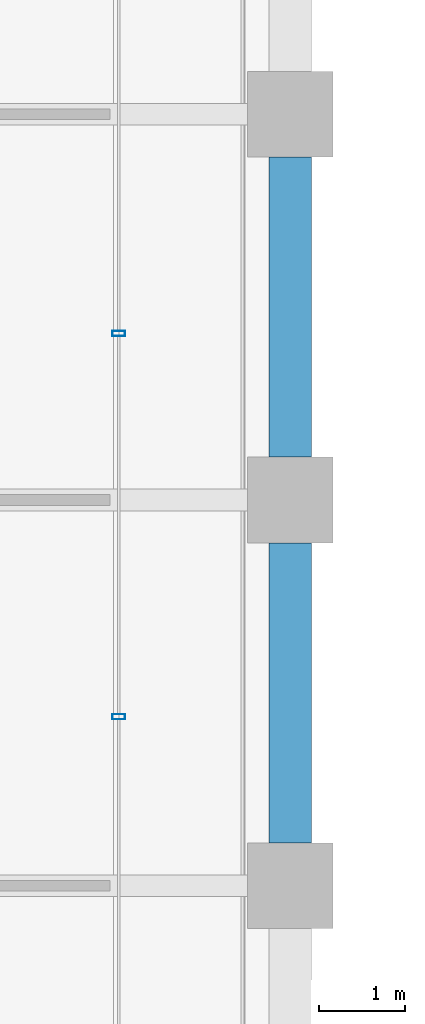
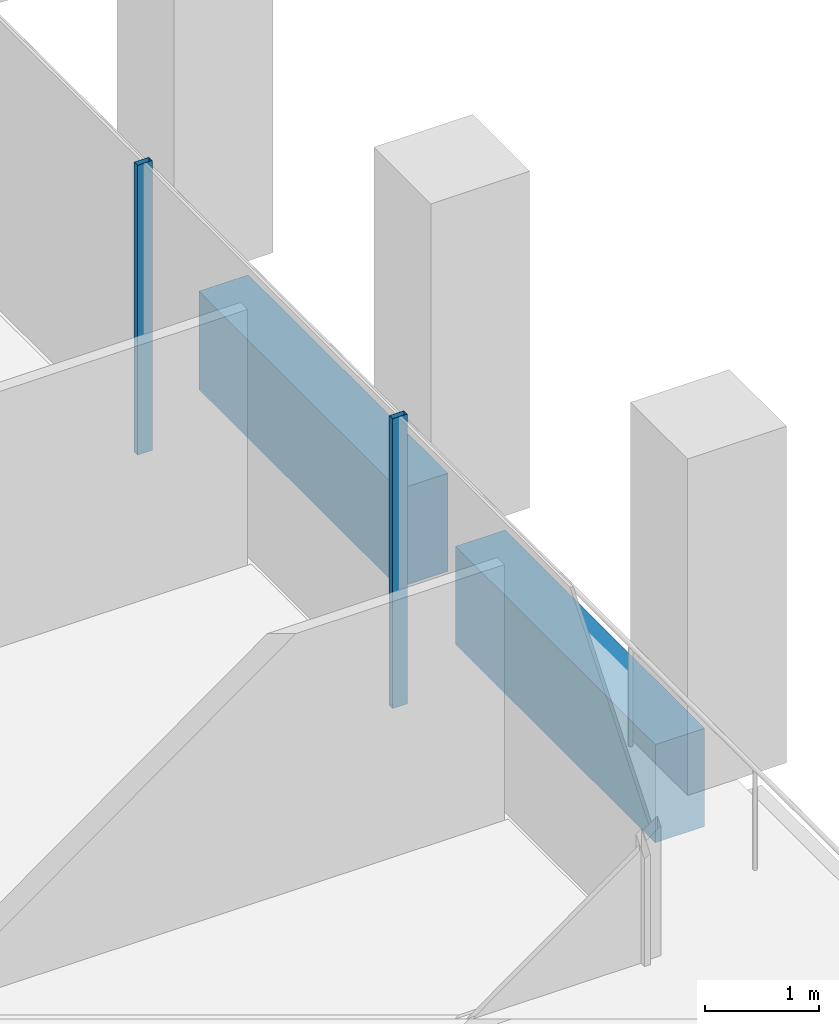
# One storey, part 15 of 46: 2 beams, 2 members, 1 element without a shape of its own.
"""IFC4 building model written with IfcOpenShell, lengths in metres."""

from ifc_helpers import new_model, si_unit, direction, frame, origin, origin_2d, place, context, subcontext, project, spatial, rectangle, hollow_rectangle, extrude, material, material_profile, profile_set, type_object, element, aggregate, save


model = new_model("IFC4")

# Units and contexts
model_context = context("Model", 3, precision=1e-05, world=origin(), true_north=direction((0.0, 1.0)))
body_context = subcontext(model_context, "Body", "Model", "MODEL_VIEW")
ifc_project = project(units=[si_unit("LENGTHUNIT", "METRE"), si_unit("AREAUNIT", "SQUARE_METRE"), si_unit("VOLUMEUNIT", "CUBIC_METRE"), si_unit("PLANEANGLEUNIT", "RADIAN"), si_unit("MASSUNIT", "GRAM", prefix="KILO")], contexts=[model_context])

# Site, building, storey
site_placement = place(None, origin())
site = spatial("IfcSite", under=ifc_project, at=site_placement, CompositionType="ELEMENT")
building_placement = place(site_placement, origin())
building = spatial("IfcBuilding", under=site, at=building_placement, Name="Altepetl Exchange Towers", CompositionType="ELEMENT")
storey_placement = place(building_placement, frame((0.0, 0.0, 131.60009765625)))
storey = spatial("IfcBuildingStorey", under=building, at=storey_placement, Name="L32", CompositionType="ELEMENT", Elevation=131.60009765625)

# Curtain wall, members
ifc_material_1 = material(Name="Aluminium 6063-T6 glazing", Category="aluminium")
curtain_wall_type = type_object("IfcCurtainWallType", Name="Loggia glazing system", PredefinedType="NOTDEFINED", material=ifc_material_1)
curtain_wall_placement = place(storey_placement, origin())
curtain_wall = element("IfcCurtainWall", 1, at=curtain_wall_placement, inside=storey, type_object=curtain_wall_type, Name="CW1 run", PredefinedType="NOTDEFINED")
ifc_material_2 = material(Name="Aluminium 6063-T6", Category="aluminium")
ifc_material_profile_1 = material_profile(ifc_material_2, hollow_rectangle(XDim=0.06005859375, YDim=0.14990234375, WallThickness=0.0029296875, at=origin_2d()), Name="Mullion 60x150 aluminium")
ifc_profile_set_1 = profile_set([ifc_material_profile_1], Name="Aluminium 6063-T6")
member_type = type_object("IfcMemberType", Name="Mullion 60x150 aluminium", PredefinedType="MULLION", material=ifc_profile_set_1)
member_1_placement = place(storey_placement, frame((70.0, 37.970947265625, 0.0), z_axis=(0.0, 0.0, 1.0), x_axis=(0.0, 1.0, 0.0)))
member_1 = element("IfcMember", 2, at=member_1_placement, type_object=member_type, Name="MU1 mullion", PredefinedType="MULLION", context=body_context, shape_type="SweptSolid", body=[
    extrude(hollow_rectangle(XDim=0.06005859375, YDim=0.14990234375, WallThickness=0.0029296875, at=origin_2d()), origin(), (0.0, 0.0, 1.0), 3.099853515625),
])
member_2_placement = place(storey_placement, frame((70.0, 42.44189453125, 0.0), z_axis=(0.0, 0.0, 1.0), x_axis=(0.0, 1.0, 0.0)))
member_2 = element("IfcMember", 3, at=member_2_placement, type_object=member_type, Name="MU1 mullion", PredefinedType="MULLION", context=body_context, shape_type="SweptSolid", body=[
    extrude(hollow_rectangle(XDim=0.06005859375, YDim=0.14990234375, WallThickness=0.0029296875, at=origin_2d()), origin(), (0.0, 0.0, 1.0), 3.099853515625),
])
aggregate(curtain_wall, [member_1, member_2])

# Beams
ifc_material_3 = material(Name="Concrete C50/60 precast with cantera amarilla facing", Category="concrete")
ifc_material_profile_2 = material_profile(ifc_material_3, rectangle(XDim=0.5, YDim=1.050048828125, at=origin_2d()), Name="500 x 1050")
ifc_profile_set_2 = profile_set([ifc_material_profile_2], Name="Concrete C50/60 precast with cantera amarilla facing")
beam_type = type_object("IfcBeamType", Name="Spandrel beam 500x1050 cantera amarilla", PredefinedType="SPANDREL", material=ifc_profile_set_2)
for number, where, z_axis, x_axis, name in (
    (4, (72.0, 36.5, -0.675048828125), (0.0, 1.0, 0.0), (-1.0, 0.0, 0.0), "sp:A:L32:013"),
    (5, (72.0, 41.0, -0.675048828125), (0.0, 1.0, 0.0), (-1.0, 0.0, 0.0), "sp:A:L32:014"),
):
    element("IfcBeam", number, at=place(storey_placement, frame(where, z_axis=z_axis, x_axis=x_axis)), inside=storey, type_object=beam_type, Name=name, PredefinedType="SPANDREL", context=body_context, shape_type="SweptSolid", body=[
        extrude(rectangle(XDim=0.5, YDim=1.050048828125, at=origin_2d()), origin(), (0.0, 0.0, 1.0), 3.5),
    ])

save(model, "model.ifc")
